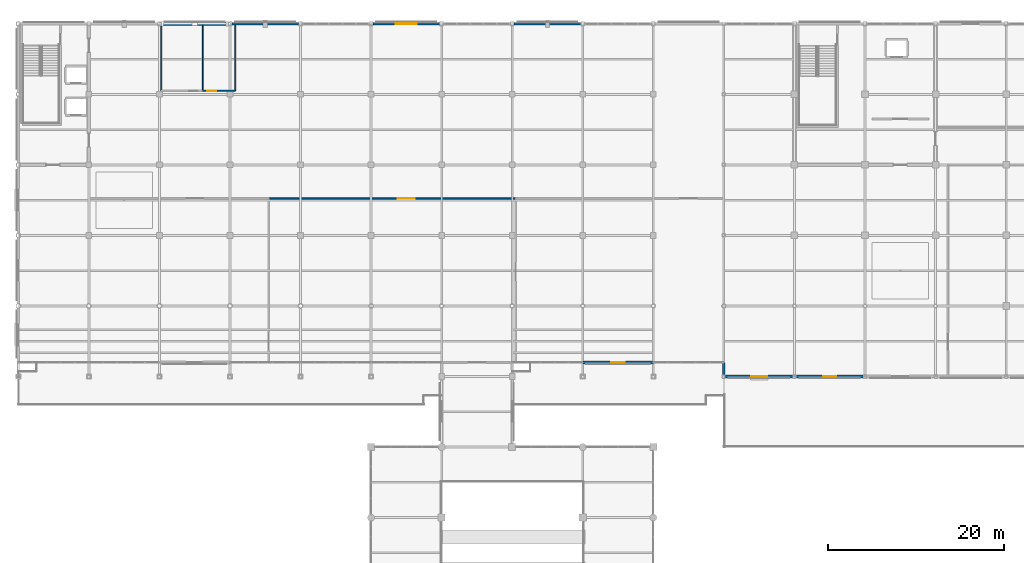
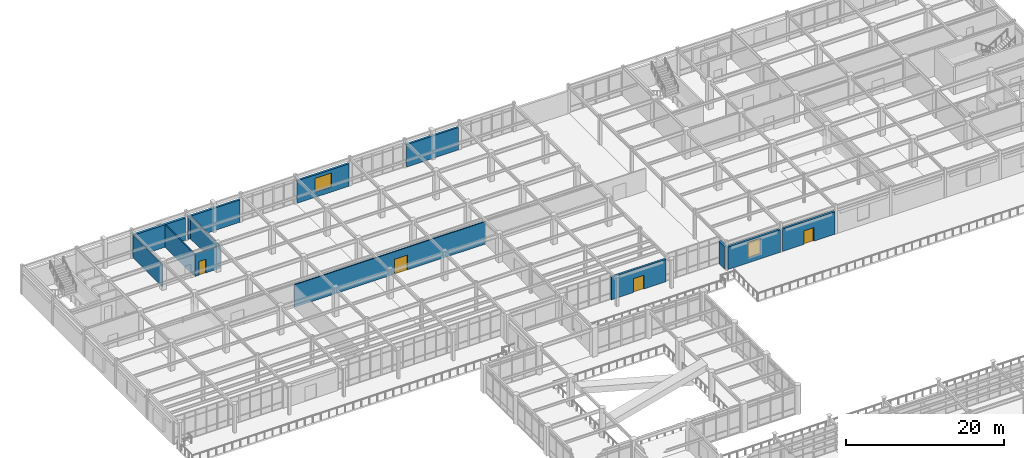
# One storey, part 87 of 111: 13 walls, 4 doors, 2 windows, 6 openings.
"""IFC4 building model written with IfcOpenShell, lengths in metres."""

from ifc_helpers import new_model, si_unit, direction, frame, frame_2d, origin, place, context, subcontext, project, spatial, rectangle, extrude, material, layer, layer_set, type_object, element, fill, save


model = new_model("IFC4")

# Units and contexts
model_context = context("Model", 3, precision=1e-05, world=origin(), true_north=direction((0.0, 1.0)))
body_context = subcontext(model_context, "Body", "Model", "MODEL_VIEW")
ifc_project = project(units=[si_unit("LENGTHUNIT", "METRE"), si_unit("AREAUNIT", "SQUARE_METRE"), si_unit("VOLUMEUNIT", "CUBIC_METRE"), si_unit("PLANEANGLEUNIT", "RADIAN"), si_unit("MASSUNIT", "GRAM", prefix="KILO")], contexts=[model_context])

# Site, building, storey
site_placement = place(None, origin())
site = spatial("IfcSite", under=ifc_project, at=site_placement, CompositionType="ELEMENT")
building_placement = place(site_placement, origin())
building = spatial("IfcBuilding", under=site, at=building_placement, Name="Solmirada Galleria", CompositionType="ELEMENT")
storey_placement = place(building_placement, frame((0.0, 0.0, 10.39990234375)))
storey = spatial("IfcBuildingStorey", under=building, at=storey_placement, Name="L02", CompositionType="ELEMENT", Elevation=10.39990234375)

# Wall
ifc_material_1 = material(Name="Precast concrete C40/50", Category="concrete")
ifc_layer_1 = layer(ifc_material_1, 0.31005859375)
ifc_layer_set_1 = layer_set([ifc_layer_1], Name="Precast concrete C40/50")
wall_type_1 = type_object("IfcWallType", Name="WL-EXT-310", PredefinedType="STANDARD", material=ifc_layer_set_1)
wall_1_placement = place(storey_placement, frame((64.202880859375, 120.0, 0.0), z_axis=(0.0, 0.0, 1.0), x_axis=(1.0, 0.0, 0.0)))
element("IfcWall", 1, at=wall_1_placement, inside=storey, type_object=wall_type_1, Name="Exterior wall L02 bay 042", PredefinedType="STANDARD", context=body_context, shape_type="SweptSolid", body=[
    extrude(rectangle(XDim=7.59423828125, YDim=0.31005859375, at=frame_2d((3.797119140625, 0.0))), origin(), (0.0, 0.0, 1.0), 3.47998046875),
])

# Wall, opening, window
wall_2_placement = place(storey_placement, frame((80.202880859375, 120.0, 0.0), z_axis=(0.0, 0.0, 1.0), x_axis=(1.0, 0.0, 0.0)))
wall_2 = element("IfcWall", 2, at=wall_2_placement, inside=storey, type_object=wall_type_1, Name="Exterior wall L02 bay 044", PredefinedType="STANDARD", context=body_context, shape_type="SweptSolid", body=[
    extrude(rectangle(XDim=7.59423828125, YDim=0.31005859375, at=frame_2d((3.797119140625, 0.0))), origin(), (0.0, 0.0, 1.0), 3.47998046875),
])
opening_1_placement = place(wall_2_placement, frame((2.6220703125, 0.0, 0.800048828125)))
opening_1 = element("IfcOpeningElement", 3, at=opening_1_placement, cuts=wall_2, Name="Opening WN2", PredefinedType="OPENING", context=body_context, shape_type="SweptSolid", body=[
    extrude(rectangle(XDim=2.35009765625, YDim=2.14990234375, at=frame_2d((1.175048828125, 1.074951171875))), frame((0.0, 0.1650390625, 0.0), z_axis=(0.0, -1.0, 0.0), x_axis=(1.0, 0.0, 0.0)), (0.0, 0.0, 1.0), 0.330078125),
])
ifc_material_2 = material(Name="Impact-resistant low-E double glazing", Category="glass")
window_type_1 = type_object("IfcWindowType", Name="WIN-AVE-235X215", PartitioningType="DOUBLE_PANEL_VERTICAL", PredefinedType="WINDOW", material=ifc_material_2)
window_1_placement = place(opening_1_placement, origin())
window_1 = element("IfcWindow", 4, at=window_1_placement, inside=storey, type_object=window_type_1, Name="Window L02-051", OverallHeight=2.14990234375, OverallWidth=2.35009765625, PartitioningType="DOUBLE_PANEL_VERTICAL", PredefinedType="WINDOW", context=body_context, shape_type="SweptSolid", body=[
    extrude(rectangle(XDim=2.35009765625, YDim=2.14990234375, at=frame_2d((1.175048828125, 1.074951171875))), frame((0.0, 0.030029296875, 0.0), z_axis=(0.0, -1.0, 0.0), x_axis=(1.0, 0.0, 0.0)), (0.0, 0.0, 1.0), 0.06005859375),
])
fill(opening_1, window_1)

# Wall
wall_3_placement = place(storey_placement, frame((96.202880859375, 120.0, 0.0), z_axis=(0.0, 0.0, 1.0), x_axis=(1.0, 0.0, 0.0)))
element("IfcWall", 5, at=wall_3_placement, inside=storey, type_object=wall_type_1, Name="Exterior wall L02 bay 046", PredefinedType="STANDARD", context=body_context, shape_type="SweptSolid", body=[
    extrude(rectangle(XDim=7.59423828125, YDim=0.31005859375, at=frame_2d((3.797119140625, 0.0))), origin(), (0.0, 0.0, 1.0), 3.47998046875),
])

# Wall, opening, door
wall_4_placement = place(storey_placement, frame((135.822021484375, 80.0, 0.0), z_axis=(0.0, 0.0, 1.0), x_axis=(-1.0, 0.0, 0.0)))
wall_4 = element("IfcWall", 6, at=wall_4_placement, inside=storey, type_object=wall_type_1, Name="Exterior wall L02 bay 066", PredefinedType="STANDARD", context=body_context, shape_type="SweptSolid", body=[
    extrude(rectangle(XDim=7.64404296875, YDim=0.31005859375, at=frame_2d((3.822021484375, 0.0))), origin(), (0.0, 0.0, 1.0), 3.47998046875),
])
opening_2_placement = place(wall_4_placement, frame((3.096923828125, 0.0, 0.0)))
opening_2 = element("IfcOpeningElement", 7, at=opening_2_placement, cuts=wall_4, Name="Opening TD-062", PredefinedType="OPENING", context=body_context, shape_type="SweptSolid", body=[
    extrude(rectangle(XDim=1.449951171875, YDim=2.10009765625, at=frame_2d((0.72509765625, 1.050048828125))), frame((0.0, 0.1650390625, 0.0), z_axis=(0.0, -1.0, 0.0), x_axis=(1.0, 0.0, 0.0)), (0.0, 0.0, 1.0), 0.330078125),
])
ifc_material_3 = material(Name="Thermally broken aluminium and laminated glass door", Category="aluminium")
door_type_1 = type_object("IfcDoorType", Name="DR-TERR-145X210", OperationType="DOUBLE_DOOR_SINGLE_SWING", PredefinedType="DOOR", material=ifc_material_3)
door_1_placement = place(opening_2_placement, origin())
door_1 = element("IfcDoor", 8, at=door_1_placement, inside=storey, type_object=door_type_1, Name="Planted terrace access door TD-062", OperationType="DOUBLE_DOOR_SINGLE_SWING", OverallHeight=2.10009765625, OverallWidth=1.449951171875, PredefinedType="DOOR", context=body_context, shape_type="SweptSolid", body=[
    extrude(rectangle(XDim=1.449951171875, YDim=2.10009765625, at=frame_2d((0.72509765625, 1.050048828125))), frame((0.0, 0.02490234375, 0.0), z_axis=(0.0, -1.0, 0.0), x_axis=(1.0, 0.0, 0.0)), (0.0, 0.0, 1.0), 0.050048828125),
])
fill(opening_2, door_1)

# Wall, opening, window
wall_5_placement = place(storey_placement, frame((127.822021484375, 80.0, 0.0), z_axis=(0.0, 0.0, 1.0), x_axis=(-1.0, 0.0, 0.0)))
wall_5 = element("IfcWall", 9, at=wall_5_placement, inside=storey, type_object=wall_type_1, Name="Exterior wall L02 bay 067", PredefinedType="STANDARD", context=body_context, shape_type="SweptSolid", body=[
    extrude(rectangle(XDim=7.64404296875, YDim=0.31005859375, at=frame_2d((3.822021484375, 0.0))), origin(), (0.0, 0.0, 1.0), 3.47998046875),
])
opening_3_placement = place(wall_5_placement, frame((2.922119140625, 0.0, 0.800048828125)))
opening_3 = element("IfcOpeningElement", 10, at=opening_3_placement, cuts=wall_5, Name="Opening WN25", PredefinedType="OPENING", context=body_context, shape_type="SweptSolid", body=[
    extrude(rectangle(XDim=1.800048828125, YDim=2.39990234375, at=frame_2d((0.89990234375, 1.199951171875))), frame((0.0, 0.1650390625, 0.0), z_axis=(0.0, -1.0, 0.0), x_axis=(1.0, 0.0, 0.0)), (0.0, 0.0, 1.0), 0.330078125),
])
window_type_2 = type_object("IfcWindowType", Name="WIN-ARCH-180X240", PartitioningType="DOUBLE_PANEL_HORIZONTAL", PredefinedType="WINDOW", material=ifc_material_2)
window_2_placement = place(opening_3_placement, origin())
window_2 = element("IfcWindow", 11, at=window_2_placement, inside=storey, type_object=window_type_2, Name="Window L02-058", OverallHeight=2.39990234375, OverallWidth=1.800048828125, PartitioningType="DOUBLE_PANEL_HORIZONTAL", PredefinedType="WINDOW", context=body_context, shape_type="SweptSolid", body=[
    extrude(rectangle(XDim=1.800048828125, YDim=2.39990234375, at=frame_2d((0.89990234375, 1.199951171875))), frame((0.0, 0.030029296875, 0.0), z_axis=(0.0, -1.0, 0.0), x_axis=(1.0, 0.0, 0.0)), (0.0, 0.0, 1.0), 0.06005859375),
])
fill(opening_3, window_2)

# Wall
wall_6_placement = place(storey_placement, frame((120.0, 80.177978515625, 0.0), z_axis=(0.0, 0.0, 1.0), x_axis=(0.0, 1.0, 0.0)))
element("IfcWall", 12, at=wall_6_placement, inside=storey, type_object=wall_type_1, Name="Exterior wall L02 bay 068", PredefinedType="STANDARD", context=body_context, shape_type="SweptSolid", body=[
    extrude(rectangle(XDim=1.422119140625, YDim=0.31005859375, at=frame_2d((0.7109375, 0.0))), origin(), (0.0, 0.0, 1.0), 3.47998046875),
])

# Wall, opening, door
wall_7_placement = place(storey_placement, frame((112.0, 81.60009765625, 0.0), z_axis=(0.0, 0.0, 1.0), x_axis=(-1.0, 0.0, 0.0)))
wall_7 = element("IfcWall", 13, at=wall_7_placement, inside=storey, type_object=wall_type_1, Name="Exterior wall L02 bay 070", PredefinedType="STANDARD", context=body_context, shape_type="SweptSolid", body=[
    extrude(rectangle(XDim=8.0, YDim=0.31005859375, at=frame_2d((4.0, 0.0))), origin(), (0.0, 0.0, 1.0), 3.47998046875),
])
opening_4_placement = place(wall_7_placement, frame((3.22509765625, 0.0, 0.0)))
opening_4 = element("IfcOpeningElement", 14, at=opening_4_placement, cuts=wall_7, Name="Opening TD-063", PredefinedType="OPENING", context=body_context, shape_type="SweptSolid", body=[
    extrude(rectangle(XDim=1.550048828125, YDim=2.14990234375, at=frame_2d((0.77490234375, 1.074951171875))), frame((0.0, 0.1650390625, 0.0), z_axis=(0.0, -1.0, 0.0), x_axis=(1.0, 0.0, 0.0)), (0.0, 0.0, 1.0), 0.330078125),
])
door_type_2 = type_object("IfcDoorType", Name="DR-TERR-155X215", OperationType="DOUBLE_DOOR_SINGLE_SWING", PredefinedType="DOOR", material=ifc_material_3)
door_2_placement = place(opening_4_placement, origin())
door_2 = element("IfcDoor", 15, at=door_2_placement, inside=storey, type_object=door_type_2, Name="Planted terrace access door TD-063", OperationType="DOUBLE_DOOR_SINGLE_SWING", OverallHeight=2.14990234375, OverallWidth=1.550048828125, PredefinedType="DOOR", context=body_context, shape_type="SweptSolid", body=[
    extrude(rectangle(XDim=1.550048828125, YDim=2.14990234375, at=frame_2d((0.77490234375, 1.074951171875))), frame((0.0, 0.02490234375, 0.0), z_axis=(0.0, -1.0, 0.0), x_axis=(1.0, 0.0, 0.0)), (0.0, 0.0, 1.0), 0.050048828125),
])
fill(opening_4, door_2)

# Walls
ifc_material_4 = material(Name="Acoustic gypsum board partition")
ifc_layer_2 = layer(ifc_material_4, 0.135009765625)
ifc_layer_set_2 = layer_set([ifc_layer_2], Name="Acoustic gypsum board partition")
wall_type_2 = type_object("IfcWallType", Name="WL-PART-135", PredefinedType="PARTITIONING", material=ifc_layer_set_2)
for number, where, z_axis, x_axis, name in (
    (16, (56.199951171875, 112.39990234375, 0.0), (0.0, 0.0, 1.0), (0.0, 1.0, 0.0), "Partition L02-068 (North WC West)"),
    (17, (60.89990234375, 112.39990234375, 0.0), (0.0, 0.0, 1.0), (0.0, 1.0, 0.0), "Partition L02-069 (North WC Divider)"),
    (18, (64.60009765625, 112.39990234375, 0.0), (0.0, 0.0, 1.0), (0.0, 1.0, 0.0), "Partition L02-070 (North WC East)"),
):
    element("IfcWall", number, at=place(storey_placement, frame(where, z_axis=z_axis, x_axis=x_axis)), inside=storey, type_object=wall_type_2, Name=name, PredefinedType="PARTITIONING", context=body_context, shape_type="SweptSolid", body=[
        extrude(rectangle(XDim=7.4501953125, YDim=0.135009765625, at=frame_2d((3.72509765625, 0.0))), origin(), (0.0, 0.0, 1.0), 3.47998046875),
    ])

# Wall, opening, door
ifc_layer_3 = layer(ifc_material_4, 0.159912109375)
ifc_layer_set_3 = layer_set([ifc_layer_3], Name="Acoustic gypsum board partition")
wall_type_3 = type_object("IfcWallType", Name="WL-PART-160", PredefinedType="PARTITIONING", material=ifc_layer_set_3)
wall_8_placement = place(storey_placement, frame((60.89990234375, 112.39990234375, 0.0), z_axis=(0.0, 0.0, 1.0), x_axis=(1.0, 0.0, 0.0)))
wall_8 = element("IfcWall", 19, at=wall_8_placement, inside=storey, type_object=wall_type_3, Name="Partition L02-067 (North Accessible WC)", PredefinedType="PARTITIONING", context=body_context, shape_type="SweptSolid", body=[
    extrude(rectangle(XDim=3.7001953125, YDim=0.159912109375, at=frame_2d((1.85009765625, 0.0))), origin(), (0.0, 0.0, 1.0), 3.47998046875),
])
opening_5_placement = place(wall_8_placement, frame((0.548095703125, 0.0, 0.0)))
opening_5 = element("IfcOpeningElement", 20, at=opening_5_placement, cuts=wall_8, Name="Opening ID-306", PredefinedType="OPENING", context=body_context, shape_type="SweptSolid", body=[
    extrude(rectangle(XDim=1.02001953125, YDim=2.10009765625, at=frame_2d((0.510009765625, 1.050048828125))), frame((0.0, 0.08984375, 0.0), z_axis=(0.0, -1.0, 0.0), x_axis=(1.0, 0.0, 0.0)), (0.0, 0.0, 1.0), 0.179931640625),
])
ifc_material_5 = material(Name="Architectural hardwood veneer door", Category="wood")
door_type_3 = type_object("IfcDoorType", Name="DR-AWC-102X210", OperationType="NOTDEFINED", PredefinedType="DOOR", material=ifc_material_5)
door_3_placement = place(opening_5_placement, origin())
door_3 = element("IfcDoor", 21, at=door_3_placement, inside=storey, type_object=door_type_3, Name="North Accessible WC door ID-306", OperationType="SINGLE_SWING_LEFT", OverallHeight=2.10009765625, OverallWidth=1.02001953125, PredefinedType="DOOR", context=body_context, shape_type="SweptSolid", body=[
    extrude(rectangle(XDim=1.02001953125, YDim=2.10009765625, at=frame_2d((0.510009765625, 1.050048828125))), frame((0.0, 0.02490234375, 0.0), z_axis=(0.0, -1.0, 0.0), x_axis=(1.0, 0.0, 0.0)), (0.0, 0.0, 1.0), 0.050048828125),
])
fill(opening_5, door_3)

wall_9_placement = place(storey_placement, frame((68.39990234375, 100.199951171875, 0.0), z_axis=(0.0, 0.0, 1.0), x_axis=(1.0, 0.0, 0.0)))
wall_9 = element("IfcWall", 22, at=wall_9_placement, inside=storey, type_object=wall_type_3, Name="Partition L02-072 (North Promenade C L02)", PredefinedType="PARTITIONING", context=body_context, shape_type="SweptSolid", body=[
    extrude(rectangle(XDim=28.0, YDim=0.159912109375, at=frame_2d((14.0, 0.0))), origin(), (0.0, 0.0, 1.0), 3.47998046875),
])
opening_6_placement = place(wall_9_placement, frame((14.637939453125, 0.0, 0.0)))
opening_6 = element("IfcOpeningElement", 23, at=opening_6_placement, cuts=wall_9, Name="Opening ID-308", PredefinedType="OPENING", context=body_context, shape_type="SweptSolid", body=[
    extrude(rectangle(XDim=1.89990234375, YDim=2.300048828125, at=frame_2d((0.949951171875, 1.14990234375))), frame((0.0, 0.08984375, 0.0), z_axis=(0.0, -1.0, 0.0), x_axis=(1.0, 0.0, 0.0)), (0.0, 0.0, 1.0), 0.179931640625),
])
door_type_4 = type_object("IfcDoorType", Name="DR-DEPT-190X230", OperationType="DOUBLE_DOOR_SINGLE_SWING", PredefinedType="DOOR", material=ifc_material_5)
door_4_placement = place(opening_6_placement, origin())
door_4 = element("IfcDoor", 24, at=door_4_placement, inside=storey, type_object=door_type_4, Name="North Promenade C L02 door ID-308", OperationType="DOUBLE_DOOR_SINGLE_SWING", OverallHeight=2.300048828125, OverallWidth=1.89990234375, PredefinedType="DOOR", context=body_context, shape_type="SweptSolid", body=[
    extrude(rectangle(XDim=1.89990234375, YDim=2.300048828125, at=frame_2d((0.949951171875, 1.14990234375))), frame((0.0, 0.02490234375, 0.0), z_axis=(0.0, -1.0, 0.0), x_axis=(1.0, 0.0, 0.0)), (0.0, 0.0, 1.0), 0.050048828125),
])
fill(opening_6, door_4)

# Wall
ifc_material_6 = material(Name="Architectural concrete masonry C30/37", Category="masonry")
ifc_layer_4 = layer(ifc_material_6, 0.360107421875)
ifc_layer_set_4 = layer_set([ifc_layer_4], Name="Architectural concrete masonry C30/37")
wall_type_4 = type_object("IfcWallType", Name="WL-SOLID-360", PredefinedType="SOLIDWALL", material=ifc_layer_set_4)
wall_10_placement = place(storey_placement, frame((56.202880859375, 120.0, 0.0), z_axis=(0.0, 0.0, 1.0), x_axis=(1.0, 0.0, 0.0)))
element("IfcWall", 25, at=wall_10_placement, inside=storey, type_object=wall_type_4, Name="Exterior wall L02 bay 041", PredefinedType="SOLIDWALL", context=body_context, shape_type="SweptSolid", body=[
    extrude(rectangle(XDim=7.59423828125, YDim=0.360107421875, at=frame_2d((3.797119140625, 0.0))), origin(), (0.0, 0.0, 1.0), 3.47998046875),
])

save(model, "model.ifc")
